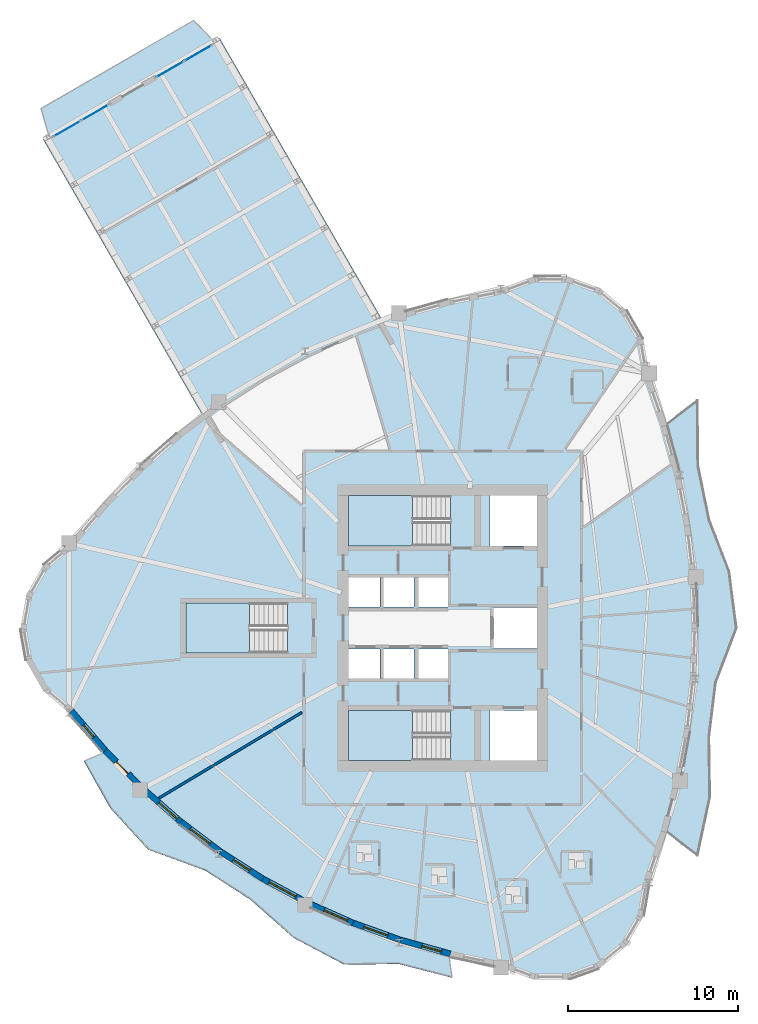
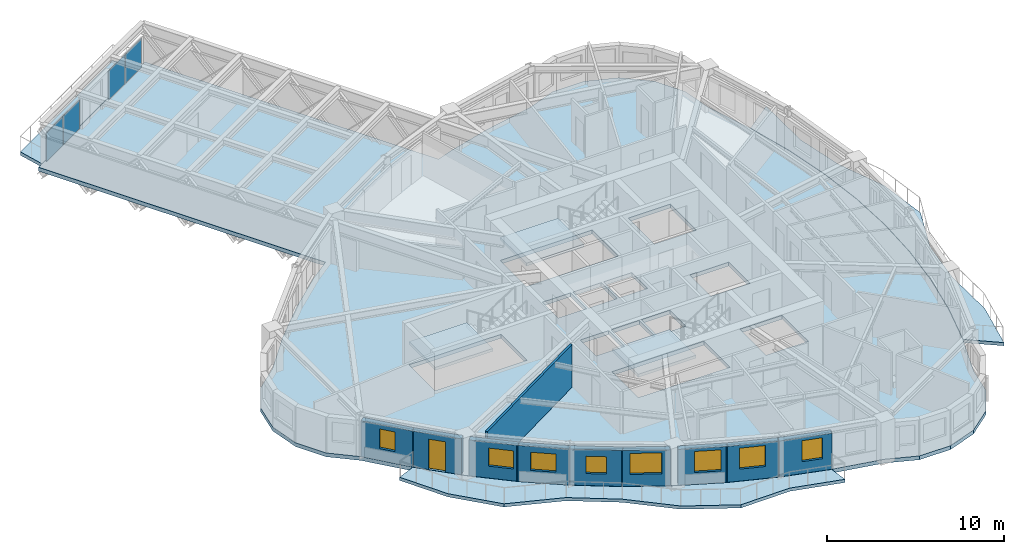
# One storey, part 4 of 14: 10 walls, 8 windows, 7 slabs, 4 plates, 1 door, 9 openings, 5 elements without a shape of their own.
"""IFC4 building model written with IfcOpenShell, lengths in metres."""

from ifc_helpers import new_model, si_unit, direction, frame, frame_2d, origin, origin_2d, place, context, subcontext, project, spatial, polyline, rectangle, outline, extrude, source, transform, mapped, material, layer, layer_set, type_object, element, fill, aggregate, save


model = new_model("IFC4")

# Units and contexts
model_context = context("Model", 3, precision=1e-05, world=origin(), true_north=direction((0.0, 1.0)))
body_context = subcontext(model_context, "Body", "Model", "MODEL_VIEW")
ifc_project = project(units=[si_unit("LENGTHUNIT", "METRE"), si_unit("AREAUNIT", "SQUARE_METRE"), si_unit("VOLUMEUNIT", "CUBIC_METRE"), si_unit("PLANEANGLEUNIT", "RADIAN"), si_unit("MASSUNIT", "GRAM", prefix="KILO")], contexts=[model_context])

# Site, building, storey
site_placement = place(None, origin())
site = spatial("IfcSite", under=ifc_project, at=site_placement, CompositionType="ELEMENT")
building_placement = place(site_placement, origin())
building = spatial("IfcBuilding", under=site, at=building_placement, Name="Qafzar Sky-Pleat Residences", CompositionType="ELEMENT")
storey_placement = place(building_placement, frame((0.0, 0.0, 86.39990234375)))
storey = spatial("IfcBuildingStorey", under=building, at=storey_placement, Name="L25", CompositionType="ELEMENT", Elevation=86.39990234375)

# Slabs
ifc_material_1 = material(Name="Concrete C40/50", Category="concrete")
ifc_layer_1 = layer(ifc_material_1, 0.219970703125)
ifc_layer_set_1 = layer_set([ifc_layer_1], Name="Concrete C40/50")
slab_type_1 = type_object("IfcSlabType", Name="SLAB-BAL-220", PredefinedType="USERDEFINED", material=ifc_layer_set_1)
slab_1_placement = place(storey_placement, frame((0.0, 0.0, -0.219970703125)))
element("IfcSlab", 1, at=slab_1_placement, inside=storey, type_object=slab_type_1, Name="L25 Pleated Stone Balcony 1", ObjectType="BALCONY", PredefinedType="USERDEFINED", context=body_context, shape_type="SweptSolid", body=[
    extrude(outline(polyline([(44.369384765625, 16.98291015625), (44.94091796875, 19.98828125), (45.28369140625, 22.994140625), (45.398193359375, 26.0), (45.28369140625, 29.005859375), (44.94091796875, 32.01171875), (44.369384765625, 35.01708984375), (43.5693359375, 38.0224609375), (45.4140625, 39.447021484375), (45.45361328125, 35.614501953125), (46.107421875, 32.425537109375), (47.291748046875, 29.35498046875), (47.72900390625, 26.0), (46.50341796875, 22.781982421875), (46.107421875, 19.574462890625), (46.154296875, 15.99951171875), (45.4140625, 12.552978515625), (43.5693359375, 13.9775390625), (44.369384765625, 16.98291015625)])), origin(), (0.0, 0.0, 1.0), 0.219970703125),
])
slab_2_placement = place(storey_placement, frame((0.0, 0.0, -0.219970703125)))
element("IfcSlab", 2, at=slab_2_placement, inside=storey, type_object=slab_type_1, Name="L25 Pleated Stone Balcony 2", ObjectType="BALCONY", PredefinedType="USERDEFINED", context=body_context, shape_type="SweptSolid", body=[
    extrude(outline(polyline([(12.482421875, 16.444580078125), (14.745849609375, 14.45703125), (17.123779296875, 12.6630859375), (19.615966796875, 11.063232421875), (22.22265625, 9.657470703125), (24.943359375, 8.445556640625), (27.7783203125, 7.427490234375), (30.727294921875, 6.603271484375), (30.89990234375, 5.37744140625), (27.763671875, 6.189453125), (24.543701171875, 6.149169921875), (21.543212890625, 7.73583984375), (19.010009765625, 9.98388671875), (16.34130859375, 11.703857421875), (12.98828125, 12.92626953125), (10.7470703125, 15.3759765625), (9.19091796875, 18.14892578125), (10.333251953125, 18.625732421875), (12.482421875, 16.444580078125)])), origin(), (0.0, 0.0, 1.0), 0.219970703125),
])
ifc_layer_2 = layer(ifc_material_1, 0.22998046875)
ifc_layer_set_2 = layer_set([ifc_layer_2], Name="Concrete C40/50")
slab_type_2 = type_object("IfcSlabType", Name="SLAB-BAL-230", PredefinedType="USERDEFINED", material=ifc_layer_set_2)
slab_3_placement = place(storey_placement, frame((0.0, 0.0, -0.22998046875)))
element("IfcSlab", 3, at=slab_3_placement, inside=storey, type_object=slab_type_2, Name="L25 SB-2 Tip Observation Balcony", ObjectType="BALCONY", PredefinedType="USERDEFINED", context=body_context, shape_type="SweptSolid", body=[
    extrude(outline(polyline([(16.830810546875, 60.6162109375), (15.666748046875, 61.83203125), (6.66015625, 56.632080078125), (7.131103515625, 55.01611328125), (16.830810546875, 60.6162109375)])), origin(), (0.0, 0.0, 1.0), 0.22998046875),
])

# Stair, slab
stair_type = type_object("IfcStairType", Name="STAIR-H320", PredefinedType="HALF_TURN_STAIR", material=ifc_material_1)
stair_1_placement = place(storey_placement, origin())
stair_1 = element("IfcStair", 4, at=stair_1_placement, inside=storey, type_object=stair_type, Name="L25 Protected Exit Stair ST1", PredefinedType="HALF_TURN_STAIR")
ifc_layer_3 = layer(ifc_material_1, 0.199951171875)
ifc_layer_set_3 = layer_set([ifc_layer_3], Name="Concrete C40/50")
slab_type_3 = type_object("IfcSlabType", Name="SLAB-LANDING-200", PredefinedType="LANDING", material=ifc_layer_set_3)
slab_4_placement = place(storey_placement, frame((0.0, 0.0, 1.400146484375)))
slab_4 = element("IfcSlab", 5, at=slab_4_placement, type_object=slab_type_3, Name="ST1 landing 1", PredefinedType="LANDING", context=body_context, shape_type="SweptSolid", body=[
    extrude(outline(polyline([(28.56005859375, 21.14990234375), (24.800048828125, 21.14990234375), (24.800048828125, 18.199951171875), (28.56005859375, 18.199951171875), (28.56005859375, 21.14990234375)])), origin(), (0.0, 0.0, 1.0), 0.199951171875),
])
aggregate(stair_1, [slab_4])

stair_2_placement = place(storey_placement, origin())
stair_2 = element("IfcStair", 6, at=stair_2_placement, inside=storey, type_object=stair_type, Name="L25 Protected Exit Stair ST2", PredefinedType="HALF_TURN_STAIR")
slab_5_placement = place(storey_placement, frame((0.0, 0.0, 1.400146484375)))
slab_5 = element("IfcSlab", 7, at=slab_5_placement, type_object=slab_type_3, Name="ST2 landing 1", PredefinedType="LANDING", context=body_context, shape_type="SweptSolid", body=[
    extrude(outline(polyline([(28.56005859375, 33.800048828125), (24.800048828125, 33.800048828125), (24.800048828125, 30.85009765625), (28.56005859375, 30.85009765625), (28.56005859375, 33.800048828125)])), origin(), (0.0, 0.0, 1.0), 0.199951171875),
])
aggregate(stair_2, [slab_5])

stair_3_placement = place(storey_placement, origin())
stair_3 = element("IfcStair", 8, at=stair_3_placement, inside=storey, type_object=stair_type, Name="L25 Protected Exit Stair ST3", PredefinedType="HALF_TURN_STAIR")
slab_6_placement = place(storey_placement, frame((0.0, 0.0, 1.400146484375)))
slab_6 = element("IfcSlab", 9, at=slab_6_placement, type_object=slab_type_3, Name="ST3 landing 1", PredefinedType="LANDING", context=body_context, shape_type="SweptSolid", body=[
    extrude(outline(polyline([(18.9599609375, 27.47509765625), (15.199951171875, 27.47509765625), (15.199951171875, 24.52490234375), (18.9599609375, 24.52490234375), (18.9599609375, 27.47509765625)])), origin(), (0.0, 0.0, 1.0), 0.199951171875),
])
aggregate(stair_3, [slab_6])

# Slab
ifc_layer_4 = layer(ifc_material_1, 0.264892578125)
ifc_layer_set_4 = layer_set([ifc_layer_4], Name="Concrete C40/50")
slab_type_4 = type_object("IfcSlabType", Name="SLAB-SB-265", PredefinedType="FLOOR", material=ifc_layer_set_4)
slab_7_placement = place(storey_placement, frame((0.0, 0.0, -0.264892578125)))
element("IfcSlab", 10, at=slab_7_placement, inside=storey, type_object=slab_type_4, Name="L25 Structural Floor Slab", PredefinedType="FLOOR", context=body_context, shape_type="SweptSolid", body=[
    extrude(outline(polyline([(27.778564453125, 44.560546875), (30.7255859375, 45.384765625), (33.787109375, 46.015380859375), (35.68212890625, 46.72314453125), (37.705078125, 46.73681640625), (39.609619140625, 46.054931640625), (41.164306640625, 44.760498046875), (42.1796875, 43.010986328125), (42.532470703125, 41.01904296875), (43.559814453125, 38.01513671875), (44.35888671875, 35.011474609375), (44.929443359375, 32.007568359375), (45.27197265625, 29.00390625), (45.385986328125, 26.0), (45.27197265625, 22.99609375), (44.929443359375, 19.992431640625), (44.35888671875, 16.988525390625), (43.559814453125, 13.98486328125), (42.532470703125, 10.98095703125), (42.1796875, 8.989013671875), (41.164306640625, 7.239501953125), (39.609619140625, 5.945068359375), (37.705078125, 5.26318359375), (35.68212890625, 5.27685546875), (33.787109375, 5.984619140625), (30.7255859375, 6.615234375), (27.778564453125, 7.439453125), (24.945556640625, 8.457275390625), (22.2265625, 9.668701171875), (19.621826171875, 11.07373046875), (17.13134765625, 12.672607421875), (14.7548828125, 14.46484375), (12.49267578125, 16.45068359375), (10.344482421875, 18.63037109375), (8.310302734375, 21.003662109375), (6.790283203125, 22.298828125), (5.7998046875, 24.03271484375), (5.455810546875, 26.0), (5.7998046875, 27.96728515625), (6.790283203125, 29.701171875), (8.310302734375, 30.996337890625), (10.344482421875, 33.36962890625), (12.49267578125, 35.54931640625), (14.7548828125, 37.53515625), (16.153076171875, 38.589599609375), (6.792236328125, 54.802978515625), (17.1845703125, 60.802978515625), (26.771240234375, 44.19873046875), (27.778564453125, 44.560546875)]), holes=[polyline([(30.797119140625, 21.14990234375), (24.800048828125, 21.14990234375), (24.800048828125, 18.199951171875), (30.797119140625, 18.199951171875), (30.797119140625, 21.14990234375)]), polyline([(30.797119140625, 33.800048828125), (24.800048828125, 33.800048828125), (24.800048828125, 30.85009765625), (30.797119140625, 30.85009765625), (30.797119140625, 33.800048828125)]), polyline([(21.197021484375, 27.47509765625), (15.199951171875, 27.47509765625), (15.199951171875, 24.52490234375), (21.197021484375, 24.52490234375), (21.197021484375, 27.47509765625)]), polyline([(24.800048828125, 22.949951171875), (26.64990234375, 22.949951171875), (26.64990234375, 24.75), (24.800048828125, 24.75), (24.800048828125, 22.949951171875)]), polyline([(26.800048828125, 22.949951171875), (28.64990234375, 22.949951171875), (28.64990234375, 24.75), (26.800048828125, 24.75), (26.800048828125, 22.949951171875)]), polyline([(28.800048828125, 22.949951171875), (30.64990234375, 22.949951171875), (30.64990234375, 24.75), (28.800048828125, 24.75), (28.800048828125, 22.949951171875)]), polyline([(24.800048828125, 27.25), (26.64990234375, 27.25), (26.64990234375, 29.050048828125), (24.800048828125, 29.050048828125), (24.800048828125, 27.25)]), polyline([(26.800048828125, 27.25), (28.64990234375, 27.25), (28.64990234375, 29.050048828125), (26.800048828125, 29.050048828125), (26.800048828125, 27.25)]), polyline([(28.800048828125, 27.25), (30.64990234375, 27.25), (30.64990234375, 29.050048828125), (28.800048828125, 29.050048828125), (28.800048828125, 27.25)]), polyline([(33.14990234375, 18.199951171875), (35.89990234375, 18.199951171875), (35.89990234375, 21.14990234375), (33.14990234375, 21.14990234375), (33.14990234375, 18.199951171875)]), polyline([(33.14990234375, 30.85009765625), (35.89990234375, 30.85009765625), (35.89990234375, 33.800048828125), (33.14990234375, 33.800048828125), (33.14990234375, 30.85009765625)]), polyline([(33.35009765625, 24.800048828125), (35.89990234375, 24.800048828125), (35.89990234375, 27.199951171875), (33.35009765625, 27.199951171875), (33.35009765625, 24.800048828125)])]), origin(), (0.0, 0.0, 1.0), 0.264892578125),
])

# Curtain wall, plates
ifc_material_2 = material(Name="Anodised bronze aluminium framing", Category="aluminium")
ifc_layer_5 = layer(ifc_material_2, 0.239990234375)
ifc_layer_set_5 = layer_set([ifc_layer_5], Name="Anodised bronze aluminium framing")
curtain_wall_type_1 = type_object("IfcCurtainWallType", Name="CW-SYS-02", PredefinedType="NOTDEFINED", material=ifc_layer_set_5)
curtain_wall_1_placement = place(storey_placement, origin())
curtain_wall_1 = element("IfcCurtainWall", 11, at=curtain_wall_1_placement, inside=storey, type_object=curtain_wall_type_1, Name="L25 CW-02 Curtain Wall CW-L25-SB-2-PROW-L", PredefinedType="NOTDEFINED")
ifc_material_3 = material(Name="Solar-control double low-E glazing", Category="glass")
ifc_layer_6 = layer(ifc_material_3, 0.031982421875)
ifc_layer_set_6 = layer_set([ifc_layer_6], Name="Solar-control double low-E glazing")
plate_type_1 = type_object("IfcPlateType", Name="CWP-02", PredefinedType="CURTAIN_PANEL", material=ifc_layer_set_6)
shared_shape_1 = source(origin(), body_context, "Body", "SweptSolid", [
    extrude(rectangle(XDim=1.827392578125, YDim=0.031982421875, at=origin_2d()), origin(), (0.0, 0.0, 1.0), 1.97998046875),
])
plate_1_placement = place(storey_placement, frame((8.20849609375, 55.447509765625, 0.0751953125), z_axis=(0.0, 0.0, 1.0), x_axis=(0.86602678479, 0.49999760802, 0.0)))
plate_1 = element("IfcPlate", 12, at=plate_1_placement, type_object=plate_type_1, Name="CW-02 panel 1.1", PredefinedType="CURTAIN_PANEL", context=body_context, shape_type="MappedRepresentation", body=[
    mapped(shared_shape_1, transform((0.0, 0.0, 0.0), x_axis=(1.0, 0.0, 0.0), y_axis=(0.0, 1.0, 0.0), z_axis=(0.0, 0.0, 1.0), scale=1.0)),
])
plate_2_placement = place(storey_placement, frame((9.856201171875, 56.398681640625, 0.0751953125), z_axis=(0.0, 0.0, 1.0), x_axis=(0.86602678479, 0.49999760802, 0.0)))
plate_2 = element("IfcPlate", 13, at=plate_2_placement, type_object=plate_type_1, Name="CW-02 panel 2.1", PredefinedType="CURTAIN_PANEL", context=body_context, shape_type="MappedRepresentation", body=[
    mapped(shared_shape_1, transform((0.0, 0.0, 0.0), x_axis=(1.0, 0.0, 0.0), y_axis=(0.0, 1.0, 0.0), z_axis=(0.0, 0.0, 1.0), scale=1.0)),
])
aggregate(curtain_wall_1, [plate_1, plate_2])

ifc_layer_7 = layer(ifc_material_2, 0.219970703125)
ifc_layer_set_7 = layer_set([ifc_layer_7], Name="Anodised bronze aluminium framing")
curtain_wall_type_2 = type_object("IfcCurtainWallType", Name="CW-SYS-03", PredefinedType="NOTDEFINED", material=ifc_layer_set_7)
curtain_wall_2_placement = place(storey_placement, origin())
curtain_wall_2 = element("IfcCurtainWall", 14, at=curtain_wall_2_placement, inside=storey, type_object=curtain_wall_type_2, Name="L25 CW-03 Curtain Wall CW-L25-SB-2-PROW-R", PredefinedType="NOTDEFINED")
ifc_layer_8 = layer(ifc_material_3, 0.030029296875)
ifc_layer_set_8 = layer_set([ifc_layer_8], Name="Solar-control double low-E glazing")
plate_type_2 = type_object("IfcPlateType", Name="CWP-03", PredefinedType="CURTAIN_PANEL", material=ifc_layer_set_8)
shared_shape_2 = source(origin(), body_context, "Body", "SweptSolid", [
    extrude(rectangle(XDim=1.8349609375, YDim=0.030029296875, at=origin_2d()), origin(), (0.0, 0.0, 1.0), 1.989990234375),
])
plate_3_placement = place(storey_placement, frame((14.269775390625, 58.94677734375, 0.0703125), z_axis=(0.0, 0.0, 1.0), x_axis=(0.86602678479, 0.49999760802, 0.0)))
plate_3 = element("IfcPlate", 15, at=plate_3_placement, type_object=plate_type_2, Name="CW-03 panel 1.1", PredefinedType="CURTAIN_PANEL", context=body_context, shape_type="MappedRepresentation", body=[
    mapped(shared_shape_2, transform((0.0, 0.0, 0.0), x_axis=(1.0, 0.0, 0.0), y_axis=(0.0, 1.0, 0.0), z_axis=(0.0, 0.0, 1.0), scale=1.0)),
])
plate_4_placement = place(storey_placement, frame((15.91943359375, 59.8994140625, 0.0703125), z_axis=(0.0, 0.0, 1.0), x_axis=(0.86602678479, 0.49999760802, 0.0)))
plate_4 = element("IfcPlate", 16, at=plate_4_placement, type_object=plate_type_2, Name="CW-03 panel 2.1", PredefinedType="CURTAIN_PANEL", context=body_context, shape_type="MappedRepresentation", body=[
    mapped(shared_shape_2, transform((0.0, 0.0, 0.0), x_axis=(1.0, 0.0, 0.0), y_axis=(0.0, 1.0, 0.0), z_axis=(0.0, 0.0, 1.0), scale=1.0)),
])
aggregate(curtain_wall_2, [plate_3, plate_4])

# Wall
ifc_material_4 = material(Name="Acoustic gypsum plasterboard partition", Category="gypsum")
ifc_layer_9 = layer(ifc_material_4, 0.14501953125)
ifc_layer_set_9 = layer_set([ifc_layer_9], Name="Acoustic gypsum plasterboard partition")
wall_type_1 = type_object("IfcWallType", Name="PART-UNIT-145", PredefinedType="PARTITIONING", material=ifc_layer_set_9)
wall_1_placement = place(storey_placement, frame((13.601318359375, 15.95849609375, 0.0), z_axis=(0.0, 0.0, 1.0), x_axis=(0.857661345212, 0.514214952066, 0.0)))
element("IfcWall", 17, at=wall_1_placement, inside=storey, type_object=wall_type_1, Name="L25 Partition Wall PART-L25-PW-025", PredefinedType="PARTITIONING", context=body_context, shape_type="SweptSolid", body=[
    extrude(rectangle(XDim=9.845947265625, YDim=0.14501953125, at=frame_2d((4.9228515625, 0.0))), origin(), (0.0, 0.0, 1.0), 2.9501953125),
])

# Wall, opening, window
ifc_material_5 = material(Name="Precast concrete C40/50 with honed Riyadh limestone", Category="concrete")
ifc_layer_10 = layer(ifc_material_5, 0.35009765625)
ifc_layer_set_10 = layer_set([ifc_layer_10], Name="Precast concrete C40/50 with honed Riyadh limestone")
wall_type_2 = type_object("IfcWallType", Name="WALL-EXT-350", PredefinedType="SOLIDWALL", material=ifc_layer_set_10)
wall_2_placement = place(storey_placement, frame((8.456298828125, 21.102294921875, 0.0), z_axis=(0.0, 0.0, 1.0), x_axis=(0.650733809993, -0.759305938692, 0.0)))
wall_2 = element("IfcWall", 18, at=wall_2_placement, inside=storey, type_object=wall_type_2, Name="L25 Limestone Facade Wall 7", PredefinedType="SOLIDWALL", context=body_context, shape_type="SweptSolid", body=[
    extrude(rectangle(XDim=3.1435546875, YDim=0.35009765625, at=frame_2d((1.57177734375, 0.0))), origin(), (0.0, 0.0, 1.0), 2.47998046875),
])
opening_1_placement = place(wall_2_placement, frame((1.0869140625, 0.0, 0.820068359375)))
opening_1 = element("IfcOpeningElement", 19, at=opening_1_placement, cuts=wall_2, Name="Opening WN-12", PredefinedType="OPENING", context=body_context, shape_type="SweptSolid", body=[
    extrude(rectangle(XDim=0.949951171875, YDim=1.35009765625, at=frame_2d((0.47509765625, 0.675048828125))), frame((0.0, 0.18505859375, 0.0), z_axis=(0.0, -1.0, 0.0), x_axis=(1.0, 0.0, 0.0)), (0.0, 0.0, 1.0), 0.3701171875),
])
ifc_material_6 = material(Name="Solar-control low-E glass in bronze aluminium frame", Category="glass")
window_type_1 = type_object("IfcWindowType", Name="WIN-12", PartitioningType="SINGLE_PANEL", PredefinedType="WINDOW", material=ifc_material_6)
shared_shape_3 = source(origin(), body_context, "Body", "SweptSolid", [
    extrude(rectangle(XDim=0.949951171875, YDim=1.35009765625, at=frame_2d((0.47509765625, 0.675048828125))), frame((0.0, 0.030029296875, 0.0), z_axis=(0.0, -1.0, 0.0), x_axis=(1.0, 0.0, 0.0)), (0.0, 0.0, 1.0), 0.06005859375),
])
window_1_placement = place(opening_1_placement, origin())
window_1 = element("IfcWindow", 20, at=window_1_placement, inside=storey, type_object=window_type_1, Name="L25 Punched Facade Window 07", OverallHeight=1.35009765625, OverallWidth=0.949951171875, PartitioningType="SINGLE_PANEL", PredefinedType="WINDOW", context=body_context, shape_type="MappedRepresentation", body=[
    mapped(shared_shape_3, transform((0.0, 0.0, 0.0), x_axis=(1.0, 0.0, 0.0), y_axis=(0.0, 1.0, 0.0), z_axis=(0.0, 0.0, 1.0), scale=1.0)),
])
fill(opening_1, window_1)

# Wall, opening, door
wall_3_placement = place(storey_placement, frame((10.4423828125, 18.7802734375, 0.0), z_axis=(0.0, 0.0, 1.0), x_axis=(0.7019473345, -0.712228853381, 0.0)))
wall_3 = element("IfcWall", 21, at=wall_3_placement, inside=storey, type_object=wall_type_2, Name="L25 Limestone Facade Wall 8", PredefinedType="SOLIDWALL", context=body_context, shape_type="SweptSolid", body=[
    extrude(rectangle(XDim=2.873291015625, YDim=0.35009765625, at=frame_2d((1.4365234375, 0.0))), origin(), (0.0, 0.0, 1.0), 2.47998046875),
])
opening_2_placement = place(wall_3_placement, frame((0.9365234375, 0.0, 0.0)))
opening_2 = element("IfcOpeningElement", 22, at=opening_2_placement, cuts=wall_3, Name="Opening ED-05", PredefinedType="OPENING", context=body_context, shape_type="SweptSolid", body=[
    extrude(rectangle(XDim=1.0, YDim=2.10009765625, at=frame_2d((0.5, 1.050048828125))), frame((0.0, 0.18505859375, 0.0), z_axis=(0.0, -1.0, 0.0), x_axis=(1.0, 0.0, 0.0)), (0.0, 0.0, 1.0), 0.3701171875),
])
ifc_material_7 = material(Name="Glazed bronze aluminium door", Category="aluminium")
door_type = type_object("IfcDoorType", Name="DR-BAL-1000", OperationType="NOTDEFINED", PredefinedType="DOOR", material=ifc_material_7)
shared_shape_4 = source(origin(), body_context, "Body", "SweptSolid", [
    extrude(rectangle(XDim=1.0, YDim=2.10009765625, at=frame_2d((0.5, 1.050048828125))), frame((0.0, 0.02490234375, 0.0), z_axis=(0.0, -1.0, 0.0), x_axis=(1.0, 0.0, 0.0)), (0.0, 0.0, 1.0), 0.050048828125),
])
door_placement = place(opening_2_placement, origin())
door = element("IfcDoor", 23, at=door_placement, inside=storey, type_object=door_type, Name="L25 Glazed Balcony Door 2", OperationType="SINGLE_SWING_LEFT", OverallHeight=2.10009765625, OverallWidth=1.0, PredefinedType="DOOR", context=body_context, shape_type="MappedRepresentation", body=[
    mapped(shared_shape_4, transform((0.0, 0.0, 0.0), x_axis=(1.0, 0.0, 0.0), y_axis=(0.0, 1.0, 0.0), z_axis=(0.0, 0.0, 1.0), scale=1.0)),
])
fill(opening_2, door)

# Wall, opening, window
wall_4_placement = place(storey_placement, frame((12.777099609375, 16.433837890625, 0.0), z_axis=(0.0, 0.0, 1.0), x_axis=(0.751531192513, -0.659697556976, 0.0)))
wall_4 = element("IfcWall", 24, at=wall_4_placement, inside=storey, type_object=wall_type_2, Name="L25 Limestone Facade Wall 9", PredefinedType="SOLIDWALL", context=body_context, shape_type="SweptSolid", body=[
    extrude(rectangle(XDim=2.8232421875, YDim=0.35009765625, at=frame_2d((1.41162109375, 0.0))), origin(), (0.0, 0.0, 1.0), 2.47998046875),
])
opening_3_placement = place(wall_4_placement, frame((1.109619140625, 0.0, 0.820068359375)))
opening_3 = element("IfcOpeningElement", 25, at=opening_3_placement, cuts=wall_4, Name="Opening WN-15", PredefinedType="OPENING", context=body_context, shape_type="SweptSolid", body=[
    extrude(rectangle(XDim=1.449951171875, YDim=1.25, at=frame_2d((0.72509765625, 0.625))), frame((0.0, 0.18505859375, 0.0), z_axis=(0.0, -1.0, 0.0), x_axis=(1.0, 0.0, 0.0)), (0.0, 0.0, 1.0), 0.3701171875),
])
window_type_2 = type_object("IfcWindowType", Name="WIN-15", PartitioningType="SINGLE_PANEL", PredefinedType="WINDOW", material=ifc_material_6)
shared_shape_5 = source(origin(), body_context, "Body", "SweptSolid", [
    extrude(rectangle(XDim=1.449951171875, YDim=1.25, at=frame_2d((0.72509765625, 0.625))), frame((0.0, 0.030029296875, 0.0), z_axis=(0.0, -1.0, 0.0), x_axis=(1.0, 0.0, 0.0)), (0.0, 0.0, 1.0), 0.06005859375),
])
window_2_placement = place(opening_3_placement, origin())
window_2 = element("IfcWindow", 26, at=window_2_placement, inside=storey, type_object=window_type_2, Name="L25 Punched Facade Window 09-2", OverallHeight=1.25, OverallWidth=1.449951171875, PartitioningType="SINGLE_PANEL", PredefinedType="WINDOW", context=body_context, shape_type="MappedRepresentation", body=[
    mapped(shared_shape_5, transform((0.0, 0.0, 0.0), x_axis=(1.0, 0.0, 0.0), y_axis=(0.0, 1.0, 0.0), z_axis=(0.0, 0.0, 1.0), scale=1.0)),
])
fill(opening_3, window_2)

wall_5_placement = place(storey_placement, frame((14.829833984375, 14.62744140625, 0.0), z_axis=(0.0, 0.0, 1.0), x_axis=(0.798382892471, -0.602150111691, 0.0)))
wall_5 = element("IfcWall", 27, at=wall_5_placement, inside=storey, type_object=wall_type_2, Name="L25 Limestone Facade Wall 10", PredefinedType="SOLIDWALL", context=body_context, shape_type="SweptSolid", body=[
    extrude(rectangle(XDim=2.99462890625, YDim=0.35009765625, at=frame_2d((1.497314453125, 0.0))), origin(), (0.0, 0.0, 1.0), 2.47998046875),
])
opening_4_placement = place(wall_5_placement, frame((0.7822265625, 0.0, 0.820068359375)))
opening_4 = element("IfcOpeningElement", 28, at=opening_4_placement, cuts=wall_5, Name="Opening WN-15", PredefinedType="OPENING", context=body_context, shape_type="SweptSolid", body=[
    extrude(rectangle(XDim=1.449951171875, YDim=1.25, at=frame_2d((0.72509765625, 0.625))), frame((0.0, 0.18505859375, 0.0), z_axis=(0.0, -1.0, 0.0), x_axis=(1.0, 0.0, 0.0)), (0.0, 0.0, 1.0), 0.3701171875),
])
window_3_placement = place(opening_4_placement, origin())
window_3 = element("IfcWindow", 29, at=window_3_placement, inside=storey, type_object=window_type_2, Name="L25 Punched Facade Window 10", OverallHeight=1.25, OverallWidth=1.449951171875, PartitioningType="SINGLE_PANEL", PredefinedType="WINDOW", context=body_context, shape_type="MappedRepresentation", body=[
    mapped(shared_shape_5, transform((0.0, 0.0, 0.0), x_axis=(1.0, 0.0, 0.0), y_axis=(0.0, 1.0, 0.0), z_axis=(0.0, 0.0, 1.0), scale=1.0)),
])
fill(opening_4, window_3)

wall_6_placement = place(storey_placement, frame((17.24267578125, 12.80908203125, 0.0), z_axis=(0.0, 0.0, 1.0), x_axis=(0.84150067635, -0.540256061236, 0.0)))
wall_6 = element("IfcWall", 30, at=wall_6_placement, inside=storey, type_object=wall_type_2, Name="L25 Limestone Facade Wall 11", PredefinedType="SOLIDWALL", context=body_context, shape_type="SweptSolid", body=[
    extrude(rectangle(XDim=2.9775390625, YDim=0.35009765625, at=frame_2d((1.48876953125, 0.0))), origin(), (0.0, 0.0, 1.0), 2.47998046875),
])
opening_5_placement = place(wall_6_placement, frame((0.90380859375, 0.0, 0.820068359375)))
opening_5 = element("IfcOpeningElement", 31, at=opening_5_placement, cuts=wall_6, Name="Opening WN-16", PredefinedType="OPENING", context=body_context, shape_type="SweptSolid", body=[
    extrude(rectangle(XDim=1.14990234375, YDim=1.199951171875, at=frame_2d((0.574951171875, 0.60009765625))), frame((0.0, 0.18505859375, 0.0), z_axis=(0.0, -1.0, 0.0), x_axis=(1.0, 0.0, 0.0)), (0.0, 0.0, 1.0), 0.3701171875),
])
window_type_3 = type_object("IfcWindowType", Name="WIN-16", PartitioningType="SINGLE_PANEL", PredefinedType="WINDOW", material=ifc_material_6)
shared_shape_6 = source(origin(), body_context, "Body", "SweptSolid", [
    extrude(rectangle(XDim=1.14990234375, YDim=1.199951171875, at=frame_2d((0.574951171875, 0.60009765625))), frame((0.0, 0.030029296875, 0.0), z_axis=(0.0, -1.0, 0.0), x_axis=(1.0, 0.0, 0.0)), (0.0, 0.0, 1.0), 0.06005859375),
])
window_4_placement = place(opening_5_placement, origin())
window_4 = element("IfcWindow", 32, at=window_4_placement, inside=storey, type_object=window_type_3, Name="L25 Punched Facade Window 11", OverallHeight=1.199951171875, OverallWidth=1.14990234375, PartitioningType="SINGLE_PANEL", PredefinedType="WINDOW", context=body_context, shape_type="MappedRepresentation", body=[
    mapped(shared_shape_6, transform((0.0, 0.0, 0.0), x_axis=(1.0, 0.0, 0.0), y_axis=(0.0, 1.0, 0.0), z_axis=(0.0, 0.0, 1.0), scale=1.0)),
])
fill(opening_5, window_4)

wall_7_placement = place(storey_placement, frame((19.67138671875, 11.245849609375, 0.0), z_axis=(0.0, 0.0, 1.0), x_axis=(0.880120285763, -0.474750758387, 0.0)))
wall_7 = element("IfcWall", 33, at=wall_7_placement, inside=storey, type_object=wall_type_2, Name="L25 Limestone Facade Wall 12", PredefinedType="SOLIDWALL", context=body_context, shape_type="SweptSolid", body=[
    extrude(rectangle(XDim=2.77294921875, YDim=0.35009765625, at=frame_2d((1.386474609375, 0.0))), origin(), (0.0, 0.0, 1.0), 2.47998046875),
])
opening_6_placement = place(wall_7_placement, frame((0.4912109375, 0.0, 0.820068359375)))
opening_6 = element("IfcOpeningElement", 34, at=opening_6_placement, cuts=wall_7, Name="Opening WN-01", PredefinedType="OPENING", context=body_context, shape_type="SweptSolid", body=[
    extrude(rectangle(XDim=1.800048828125, YDim=1.449951171875, at=frame_2d((0.89990234375, 0.72509765625))), frame((0.0, 0.18505859375, 0.0), z_axis=(0.0, -1.0, 0.0), x_axis=(1.0, 0.0, 0.0)), (0.0, 0.0, 1.0), 0.3701171875),
])
window_type_4 = type_object("IfcWindowType", Name="WIN-01", PartitioningType="DOUBLE_PANEL_VERTICAL", PredefinedType="WINDOW", material=ifc_material_6)
shared_shape_7 = source(origin(), body_context, "Body", "SweptSolid", [
    extrude(rectangle(XDim=1.800048828125, YDim=1.449951171875, at=frame_2d((0.89990234375, 0.72509765625))), frame((0.0, 0.030029296875, 0.0), z_axis=(0.0, -1.0, 0.0), x_axis=(1.0, 0.0, 0.0)), (0.0, 0.0, 1.0), 0.06005859375),
])
window_5_placement = place(opening_6_placement, origin())
window_5 = element("IfcWindow", 35, at=window_5_placement, inside=storey, type_object=window_type_4, Name="L25 Punched Facade Window 12", OverallHeight=1.449951171875, OverallWidth=1.800048828125, PartitioningType="SINGLE_PANEL", PredefinedType="WINDOW", context=body_context, shape_type="MappedRepresentation", body=[
    mapped(shared_shape_7, transform((0.0, 0.0, 0.0), x_axis=(1.0, 0.0, 0.0), y_axis=(0.0, 1.0, 0.0), z_axis=(0.0, 0.0, 1.0), scale=1.0)),
])
fill(opening_6, window_5)

wall_8_placement = place(storey_placement, frame((22.50341796875, 9.737060546875, 0.0), z_axis=(0.0, 0.0, 1.0), x_axis=(0.913443049169, -0.406966578388, 0.0)))
wall_8 = element("IfcWall", 36, at=wall_8_placement, inside=storey, type_object=wall_type_2, Name="L25 Limestone Facade Wall 13", PredefinedType="SOLIDWALL", context=body_context, shape_type="SweptSolid", body=[
    extrude(rectangle(XDim=2.78955078125, YDim=0.35009765625, at=frame_2d((1.394775390625, 0.0))), origin(), (0.0, 0.0, 1.0), 2.47998046875),
])
opening_7_placement = place(wall_8_placement, frame((0.93798828125, 0.0, 0.820068359375)))
opening_7 = element("IfcOpeningElement", 37, at=opening_7_placement, cuts=wall_8, Name="Opening WN-03", PredefinedType="OPENING", context=body_context, shape_type="SweptSolid", body=[
    extrude(rectangle(XDim=1.5, YDim=1.449951171875, at=frame_2d((0.75, 0.72509765625))), frame((0.0, 0.18505859375, 0.0), z_axis=(0.0, -1.0, 0.0), x_axis=(1.0, 0.0, 0.0)), (0.0, 0.0, 1.0), 0.3701171875),
])
window_type_5 = type_object("IfcWindowType", Name="WIN-03", PartitioningType="DOUBLE_PANEL_VERTICAL", PredefinedType="WINDOW", material=ifc_material_6)
shared_shape_8 = source(origin(), body_context, "Body", "SweptSolid", [
    extrude(rectangle(XDim=1.5, YDim=1.449951171875, at=frame_2d((0.75, 0.72509765625))), frame((0.0, 0.030029296875, 0.0), z_axis=(0.0, -1.0, 0.0), x_axis=(1.0, 0.0, 0.0)), (0.0, 0.0, 1.0), 0.06005859375),
])
window_6_placement = place(opening_7_placement, origin())
window_6 = element("IfcWindow", 38, at=window_6_placement, inside=storey, type_object=window_type_5, Name="L25 Punched Facade Window 13-2", OverallHeight=1.449951171875, OverallWidth=1.5, PartitioningType="SINGLE_PANEL", PredefinedType="WINDOW", context=body_context, shape_type="MappedRepresentation", body=[
    mapped(shared_shape_8, transform((0.0, 0.0, 0.0), x_axis=(1.0, 0.0, 0.0), y_axis=(0.0, 1.0, 0.0), z_axis=(0.0, 0.0, 1.0), scale=1.0)),
])
fill(opening_7, window_6)

wall_9_placement = place(storey_placement, frame((24.968994140625, 8.634765625, 0.0), z_axis=(0.0, 0.0, 1.0), x_axis=(0.941099972293, -0.338128440315, 0.0)))
wall_9 = element("IfcWall", 39, at=wall_9_placement, inside=storey, type_object=wall_type_2, Name="L25 Limestone Facade Wall 14", PredefinedType="SOLIDWALL", context=body_context, shape_type="SweptSolid", body=[
    extrude(rectangle(XDim=3.0283203125, YDim=0.35009765625, at=frame_2d((1.51416015625, 0.0))), origin(), (0.0, 0.0, 1.0), 2.47998046875),
])
opening_8_placement = place(wall_9_placement, frame((0.774169921875, 0.0, 0.820068359375)))
opening_8 = element("IfcOpeningElement", 40, at=opening_8_placement, cuts=wall_9, Name="Opening WN-03", PredefinedType="OPENING", context=body_context, shape_type="SweptSolid", body=[
    extrude(rectangle(XDim=1.5, YDim=1.449951171875, at=frame_2d((0.75, 0.72509765625))), frame((0.0, 0.18505859375, 0.0), z_axis=(0.0, -1.0, 0.0), x_axis=(1.0, 0.0, 0.0)), (0.0, 0.0, 1.0), 0.3701171875),
])
window_7_placement = place(opening_8_placement, origin())
window_7 = element("IfcWindow", 41, at=window_7_placement, inside=storey, type_object=window_type_5, Name="L25 Punched Facade Window 14", OverallHeight=1.449951171875, OverallWidth=1.5, PartitioningType="SINGLE_PANEL", PredefinedType="WINDOW", context=body_context, shape_type="MappedRepresentation", body=[
    mapped(shared_shape_8, transform((0.0, 0.0, 0.0), x_axis=(1.0, 0.0, 0.0), y_axis=(0.0, 1.0, 0.0), z_axis=(0.0, 0.0, 1.0), scale=1.0)),
])
fill(opening_8, window_7)

wall_10_placement = place(storey_placement, frame((27.844970703125, 7.6025390625, 0.0), z_axis=(0.0, 0.0, 1.0), x_axis=(0.963041412051, -0.269353371382, 0.0)))
wall_10 = element("IfcWall", 42, at=wall_10_placement, inside=storey, type_object=wall_type_2, Name="L25 Limestone Facade Wall 15", PredefinedType="SOLIDWALL", context=body_context, shape_type="SweptSolid", body=[
    extrude(rectangle(XDim=3.078125, YDim=0.35009765625, at=frame_2d((1.5390625, 0.0))), origin(), (0.0, 0.0, 1.0), 2.47998046875),
])
opening_9_placement = place(wall_10_placement, frame((1.32421875, 0.0, 0.820068359375)))
opening_9 = element("IfcOpeningElement", 43, at=opening_9_placement, cuts=wall_10, Name="Opening WN-05", PredefinedType="OPENING", context=body_context, shape_type="SweptSolid", body=[
    extrude(rectangle(XDim=1.199951171875, YDim=1.449951171875, at=frame_2d((0.60009765625, 0.72509765625))), frame((0.0, 0.18505859375, 0.0), z_axis=(0.0, -1.0, 0.0), x_axis=(1.0, 0.0, 0.0)), (0.0, 0.0, 1.0), 0.3701171875),
])
window_type_6 = type_object("IfcWindowType", Name="WIN-05", PartitioningType="SINGLE_PANEL", PredefinedType="WINDOW", material=ifc_material_6)
shared_shape_9 = source(origin(), body_context, "Body", "SweptSolid", [
    extrude(rectangle(XDim=1.199951171875, YDim=1.449951171875, at=frame_2d((0.60009765625, 0.72509765625))), frame((0.0, 0.030029296875, 0.0), z_axis=(0.0, -1.0, 0.0), x_axis=(1.0, 0.0, 0.0)), (0.0, 0.0, 1.0), 0.06005859375),
])
window_8_placement = place(opening_9_placement, origin())
window_8 = element("IfcWindow", 44, at=window_8_placement, inside=storey, type_object=window_type_6, Name="L25 Punched Facade Window 15-2", OverallHeight=1.449951171875, OverallWidth=1.199951171875, PartitioningType="SINGLE_PANEL", PredefinedType="WINDOW", context=body_context, shape_type="MappedRepresentation", body=[
    mapped(shared_shape_9, transform((0.0, 0.0, 0.0), x_axis=(1.0, 0.0, 0.0), y_axis=(0.0, 1.0, 0.0), z_axis=(0.0, 0.0, 1.0), scale=1.0)),
])
fill(opening_9, window_8)

save(model, "model.ifc")
